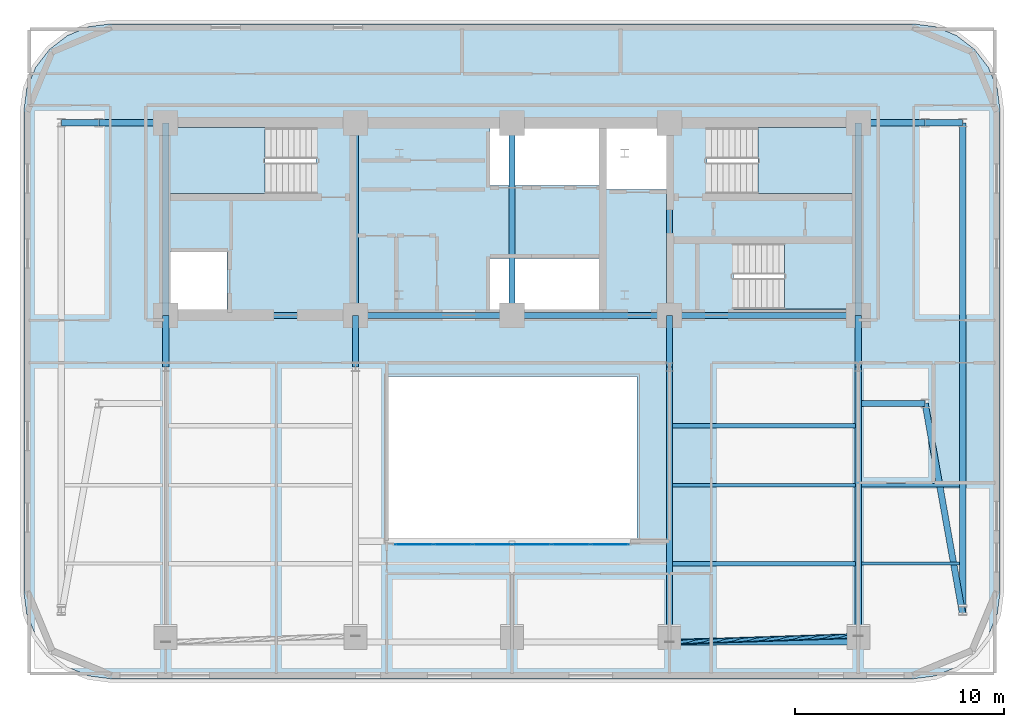
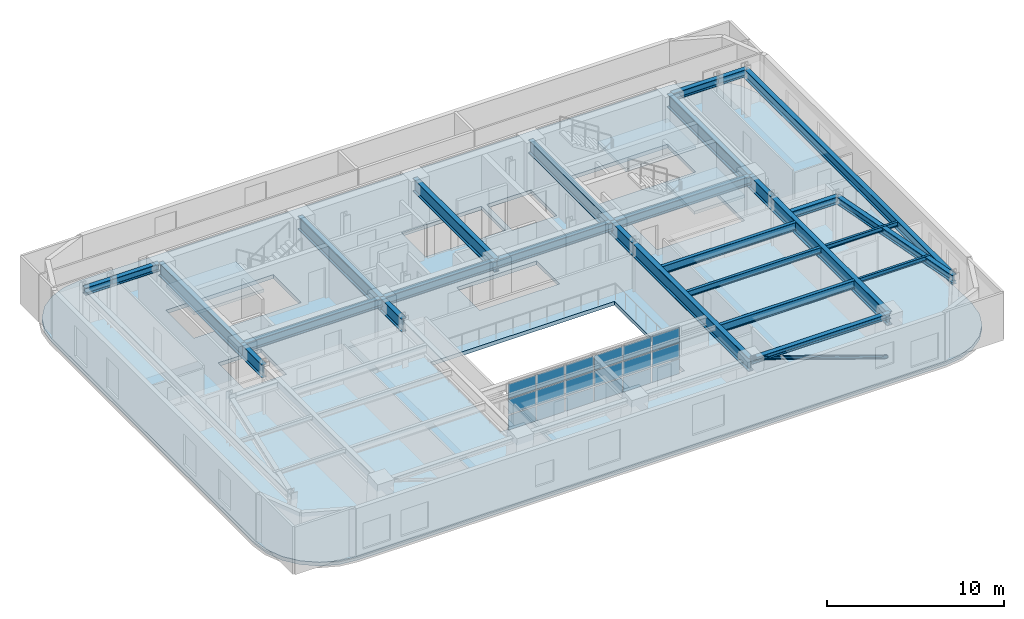
# One storey, part 3 of 11: 28 beams, 18 plates, 4 slabs, 1 member, 4 elements without a shape of their own.
"""IFC4 building model written with IfcOpenShell, lengths in metres."""

from ifc_helpers import new_model, si_unit, direction, frame, origin, origin_2d, place, context, subcontext, project, spatial, polyline, rectangle, hollow_circle, i_section, outline, extrude, material, layer, layer_set, material_profile, profile_set, type_object, element, aggregate, save


model = new_model("IFC4")

# Units and contexts
model_context = context("Model", 3, precision=1e-05, world=origin(), true_north=direction((0.0, 1.0)))
body_context = subcontext(model_context, "Body", "Model", "MODEL_VIEW")
ifc_project = project(units=[si_unit("LENGTHUNIT", "METRE"), si_unit("AREAUNIT", "SQUARE_METRE"), si_unit("VOLUMEUNIT", "CUBIC_METRE"), si_unit("PLANEANGLEUNIT", "RADIAN"), si_unit("MASSUNIT", "GRAM", prefix="KILO")], contexts=[model_context])

# Site, building, storey
site_placement = place(None, origin())
site = spatial("IfcSite", under=ifc_project, at=site_placement, CompositionType="ELEMENT")
building_placement = place(site_placement, origin())
building = spatial("IfcBuilding", under=site, at=building_placement, Name="Zarnavel Station Tower", CompositionType="ELEMENT")
storey_placement = place(building_placement, frame((0.0, 0.0, 151.89990234375)))
storey = spatial("IfcBuildingStorey", under=building, at=storey_placement, Name="L41", CompositionType="ELEMENT", Elevation=151.89990234375)

# Member
ifc_material_1 = material(Name="Steel S355J2", Category="steel")
ifc_material_profile_1 = material_profile(ifc_material_1, hollow_circle(Radius=0.122314453125, WallThickness=0.010009765625, at=origin_2d()), Name="CHS244.5x10")
ifc_profile_set_1 = profile_set([ifc_material_profile_1], Name="Steel S355J2")
member_type = type_object("IfcMemberType", Name="DB_EXT_CHS245", PredefinedType="BRACE", material=ifc_profile_set_1)
member_placement = place(storey_placement, frame((45.39990234375, 12.462890625, 0.0), z_axis=(-0.939370056938, -0.030942344867, 0.341506174795), x_axis=(0.032921607344, -0.999457936969, 0.0)))
element("IfcMember", 1, at=member_placement, inside=storey, type_object=member_type, Name="L41 Persian Exterior Diagonal Frame Brace 2", PredefinedType="BRACE", context=body_context, shape_type="SweptSolid", body=[
    extrude(hollow_circle(Radius=0.122314453125, WallThickness=0.010009765625, at=origin_2d()), origin(), (0.0, 0.0, 1.0), 9.6337890625),
])

# Beams
ifc_material_2 = material(Name="Steel S355J2", Category="steel")
ifc_material_profile_2 = material_profile(ifc_material_2, i_section(OverallWidth=0.300048828125, OverallDepth=0.360107421875, WebThickness=0.012451171875, FlangeThickness=0.0224609375, FilletRadius=0.027099609375, at=origin_2d()), Name="HEB360")
ifc_profile_set_2 = profile_set([ifc_material_profile_2], Name="Steel S355J2")
beam_type_1 = type_object("IfcBeamType", Name="EB_HEB360", PredefinedType="SPANDREL", material=ifc_profile_set_2)
beam_1_placement = place(storey_placement, frame((36.35009765625, 12.164794921875, 3.110107421875), z_axis=(1.0, 0.0, 0.0), x_axis=(0.0, 1.0, 0.0)))
element("IfcBeam", 2, at=beam_1_placement, inside=storey, type_object=beam_type_1, Name="L41 South Raked Spandrel 4", PredefinedType="SPANDREL", context=body_context, shape_type="SweptSolid", body=[
    extrude(i_section(OverallWidth=0.300048828125, OverallDepth=0.360107421875, WebThickness=0.012451171875, FlangeThickness=0.0224609375, FilletRadius=0.027099609375, at=origin_2d()), origin(), (0.0, 0.0, 1.0), 9.0498046875),
])
ifc_material_3 = material(Name="Steel S355J2", Category="steel")
ifc_material_profile_3 = material_profile(ifc_material_3, i_section(OverallWidth=0.179931640625, OverallDepth=0.39990234375, WebThickness=0.008544921875, FlangeThickness=0.013427734375, FilletRadius=0.02099609375, at=origin_2d()), Name="IPE400")
ifc_profile_set_3 = profile_set([ifc_material_profile_3], Name="Steel S355J2")
beam_type_2 = type_object("IfcBeamType", Name="FB_IPE400", PredefinedType="BEAM", material=ifc_profile_set_3)
beam_2_placement = place(storey_placement, frame((36.4951171875, 19.682373046875, 3.090087890625), z_axis=(1.0, 0.0, 0.0), x_axis=(0.0, 1.0, 0.0)))
element("IfcBeam", 3, at=beam_2_placement, inside=storey, type_object=beam_type_2, Name="L41 East Bay Beam 2", PredefinedType="BEAM", context=body_context, shape_type="SweptSolid", body=[
    extrude(i_section(OverallWidth=0.179931640625, OverallDepth=0.39990234375, WebThickness=0.008544921875, FlangeThickness=0.013427734375, FilletRadius=0.02099609375, at=origin_2d()), origin(), (0.0, 0.0, 1.0), 8.759765625),
])
ifc_material_4 = material(Name="Steel S355J2", Category="steel")
ifc_material_profile_4 = material_profile(ifc_material_4, i_section(OverallWidth=0.2099609375, OverallDepth=0.550048828125, WebThickness=0.010986328125, FlangeThickness=0.01708984375, FilletRadius=0.02392578125, at=origin_2d()), Name="IPE550")
ifc_profile_set_4 = profile_set([ifc_material_profile_4], Name="Steel S355J2")
beam_type_3 = type_object("IfcBeamType", Name="FB_IPE550", PredefinedType="BEAM", material=ifc_profile_set_4)
for number, where, z_axis, x_axis, name in (
    (4, (36.4951171875, 15.923583984375, 3.01513671875), (1.0, 0.0, 0.0), (0.0, 1.0, 0.0), "L41 East Bay Beam 1"),
    (5, (36.4951171875, 22.541259765625, 3.01513671875), (1.0, 0.0, 0.0), (0.0, 1.0, 0.0), "L41 East Bay Beam 3"),
):
    element("IfcBeam", number, at=place(storey_placement, frame(where, z_axis=z_axis, x_axis=x_axis)), inside=storey, type_object=beam_type_3, Name=name, PredefinedType="BEAM", context=body_context, shape_type="SweptSolid", body=[
        extrude(i_section(OverallWidth=0.2099609375, OverallDepth=0.550048828125, WebThickness=0.010986328125, FlangeThickness=0.01708984375, FilletRadius=0.02392578125, at=origin_2d()), origin(), (0.0, 0.0, 1.0), 8.759765625),
    ])
ifc_material_5 = material(Name="Steel S355J2", Category="steel")
ifc_material_profile_5 = material_profile(ifc_material_5, i_section(OverallWidth=0.300048828125, OverallDepth=0.5, WebThickness=0.014404296875, FlangeThickness=0.028076171875, FilletRadius=0.027099609375, at=origin_2d()), Name="HEB500")
ifc_profile_set_5 = profile_set([ifc_material_profile_5], Name="Steel S355J2")
beam_type_4 = type_object("IfcBeamType", Name="FG_HEB500", PredefinedType="USERDEFINED", material=ifc_profile_set_5)
beam_3_placement = place(storey_placement, frame((7.199951171875, 37.050048828125, 3.0400390625), z_axis=(1.0, 0.0, 0.0), x_axis=(0.0, 1.0, 0.0)))
element("IfcBeam", 6, at=beam_3_placement, inside=storey, type_object=beam_type_4, Name="L41 West Wing North Tie 1", ObjectType="GIRDER", PredefinedType="USERDEFINED", context=body_context, shape_type="SweptSolid", body=[
    extrude(i_section(OverallWidth=0.300048828125, OverallDepth=0.5, WebThickness=0.014404296875, FlangeThickness=0.028076171875, FilletRadius=0.027099609375, at=origin_2d()), origin(), (0.0, 0.0, 1.0), 1.800048828125),
])
beam_4_placement = place(storey_placement, frame((9.0, 37.050048828125, 3.0400390625), z_axis=(1.0, 0.0, 0.0), x_axis=(0.0, 1.0, 0.0)))
element("IfcBeam", 7, at=beam_4_placement, inside=storey, type_object=beam_type_4, Name="L41 West Wing North Tie 2", ObjectType="GIRDER", PredefinedType="USERDEFINED", context=body_context, shape_type="SweptSolid", body=[
    extrude(i_section(OverallWidth=0.300048828125, OverallDepth=0.5, WebThickness=0.014404296875, FlangeThickness=0.028076171875, FilletRadius=0.027099609375, at=origin_2d()), origin(), (0.0, 0.0, 1.0), 3.054931640625),
])
for number, where, z_axis, x_axis, name in (
    (8, (45.544921875, 23.60009765625, 3.0400390625), (1.0, 0.0, 0.0), (0.0, 1.0, 0.0), "L41 East Wing South Tie 1"),
    (9, (45.544921875, 37.050048828125, 3.0400390625), (1.0, 0.0, 0.0), (0.0, 1.0, 0.0), "L41 East Wing North Tie 1"),
):
    element("IfcBeam", number, at=place(storey_placement, frame(where, z_axis=z_axis, x_axis=x_axis)), inside=storey, type_object=beam_type_4, Name=name, ObjectType="GIRDER", PredefinedType="USERDEFINED", context=body_context, shape_type="SweptSolid", body=[
        extrude(i_section(OverallWidth=0.300048828125, OverallDepth=0.5, WebThickness=0.014404296875, FlangeThickness=0.028076171875, FilletRadius=0.027099609375, at=origin_2d()), origin(), (0.0, 0.0, 1.0), 3.05517578125),
    ])
beam_5_placement = place(storey_placement, frame((48.60009765625, 23.60009765625, 3.0400390625), z_axis=(0.175199201483, -0.984533005947, 0.0), x_axis=(0.984533005947, 0.175199201483, 0.0)))
element("IfcBeam", 10, at=beam_5_placement, inside=storey, type_object=beam_type_4, Name="L41 East Wing South Tie 2", ObjectType="GIRDER", PredefinedType="USERDEFINED", context=body_context, shape_type="SweptSolid", body=[
    extrude(i_section(OverallWidth=0.300048828125, OverallDepth=0.5, WebThickness=0.014404296875, FlangeThickness=0.028076171875, FilletRadius=0.027099609375, at=origin_2d()), origin(), (0.0, 0.0, 1.0), 10.27294921875),
])
beam_6_placement = place(storey_placement, frame((48.60009765625, 37.050048828125, 3.0400390625), z_axis=(1.0, 0.0, 0.0), x_axis=(0.0, 1.0, 0.0)))
element("IfcBeam", 11, at=beam_6_placement, inside=storey, type_object=beam_type_4, Name="L41 East Wing North Tie 2", ObjectType="GIRDER", PredefinedType="USERDEFINED", context=body_context, shape_type="SweptSolid", body=[
    extrude(i_section(OverallWidth=0.300048828125, OverallDepth=0.5, WebThickness=0.014404296875, FlangeThickness=0.028076171875, FilletRadius=0.027099609375, at=origin_2d()), origin(), (0.0, 0.0, 1.0), 1.7998046875),
])
ifc_material_6 = material(Name="Steel S355J2", Category="steel")
ifc_material_profile_6 = material_profile(ifc_material_6, i_section(OverallWidth=0.300048828125, OverallDepth=0.60009765625, WebThickness=0.015380859375, FlangeThickness=0.030029296875, FilletRadius=0.027099609375, at=origin_2d()), Name="HEB600")
ifc_profile_set_6 = profile_set([ifc_material_profile_6], Name="Steel S355J2")
beam_type_5 = type_object("IfcBeamType", Name="FG_HEB600", PredefinedType="USERDEFINED", material=ifc_profile_set_6)
beam_7_placement = place(storey_placement, frame((12.199951171875, 27.820068359375, 2.989990234375), z_axis=(1.0, 0.0, 0.0), x_axis=(0.0, 1.0, 0.0)))
element("IfcBeam", 12, at=beam_7_placement, inside=storey, type_object=beam_type_5, Name="L41 Core Front Coupling Beam 1", ObjectType="GIRDER", PredefinedType="USERDEFINED", context=body_context, shape_type="SweptSolid", body=[
    extrude(i_section(OverallWidth=0.300048828125, OverallDepth=0.60009765625, WebThickness=0.015380859375, FlangeThickness=0.030029296875, FilletRadius=0.027099609375, at=origin_2d()), origin(), (0.0, 0.0, 1.0), 9.10009765625),
])
beam_8_placement = place(storey_placement, frame((21.300048828125, 27.820068359375, 2.989990234375), z_axis=(1.0, 0.0, 0.0), x_axis=(0.0, 1.0, 0.0)))
element("IfcBeam", 13, at=beam_8_placement, inside=storey, type_object=beam_type_5, Name="L41 Core Front Coupling Beam 2", ObjectType="GIRDER", PredefinedType="USERDEFINED", context=body_context, shape_type="SweptSolid", body=[
    extrude(i_section(OverallWidth=0.300048828125, OverallDepth=0.60009765625, WebThickness=0.015380859375, FlangeThickness=0.030029296875, FilletRadius=0.027099609375, at=origin_2d()), origin(), (0.0, 0.0, 1.0), 7.5),
])
beam_9_placement = place(storey_placement, frame((28.800048828125, 27.820068359375, 2.989990234375), z_axis=(1.0, 0.0, 0.0), x_axis=(0.0, 1.0, 0.0)))
element("IfcBeam", 14, at=beam_9_placement, inside=storey, type_object=beam_type_5, Name="L41 Core Front Coupling Beam 3", ObjectType="GIRDER", PredefinedType="USERDEFINED", context=body_context, shape_type="SweptSolid", body=[
    extrude(i_section(OverallWidth=0.300048828125, OverallDepth=0.60009765625, WebThickness=0.015380859375, FlangeThickness=0.030029296875, FilletRadius=0.027099609375, at=origin_2d()), origin(), (0.0, 0.0, 1.0), 7.550048828125),
])
beam_10_placement = place(storey_placement, frame((36.35009765625, 27.820068359375, 2.989990234375), z_axis=(1.0, 0.0, 0.0), x_axis=(0.0, 1.0, 0.0)))
element("IfcBeam", 15, at=beam_10_placement, inside=storey, type_object=beam_type_5, Name="L41 Core Front Coupling Beam 4", ObjectType="GIRDER", PredefinedType="USERDEFINED", context=body_context, shape_type="SweptSolid", body=[
    extrude(i_section(OverallWidth=0.300048828125, OverallDepth=0.60009765625, WebThickness=0.015380859375, FlangeThickness=0.030029296875, FilletRadius=0.027099609375, at=origin_2d()), origin(), (0.0, 0.0, 1.0), 9.0498046875),
])
ifc_material_7 = material(Name="Steel S355J2", Category="steel")
ifc_material_profile_7 = material_profile(ifc_material_7, i_section(OverallWidth=0.300048828125, OverallDepth=0.64990234375, WebThickness=0.01611328125, FlangeThickness=0.031005859375, FilletRadius=0.027099609375, at=origin_2d()), Name="HEB650")
ifc_profile_set_7 = profile_set([ifc_material_profile_7], Name="Steel S355J2")
beam_type_6 = type_object("IfcBeamType", Name="FG_HEB650", PredefinedType="USERDEFINED", material=ifc_profile_set_7)
beam_11_placement = place(storey_placement, frame((50.39990234375, 13.486083984375, 2.965087890625), z_axis=(0.0, 1.0, 0.0), x_axis=(-1.0, 0.0, 0.0)))
element("IfcBeam", 16, at=beam_11_placement, inside=storey, type_object=beam_type_6, Name="L41 Wing NS Girder 2", ObjectType="GIRDER", PredefinedType="USERDEFINED", context=body_context, shape_type="SweptSolid", body=[
    extrude(i_section(OverallWidth=0.300048828125, OverallDepth=0.64990234375, WebThickness=0.01611328125, FlangeThickness=0.031005859375, FilletRadius=0.027099609375, at=origin_2d()), origin(), (0.0, 0.0, 1.0), 23.56396484375),
])
ifc_material_8 = material(Name="Steel S355J2", Category="steel")
ifc_material_profile_8 = material_profile(ifc_material_8, i_section(OverallWidth=0.14990234375, OverallDepth=0.300048828125, WebThickness=0.007080078125, FlangeThickness=0.0107421875, FilletRadius=0.014892578125, at=origin_2d()), Name="IPE300")
ifc_profile_set_8 = profile_set([ifc_material_profile_8], Name="Steel S355J2")
beam_type_7 = type_object("IfcBeamType", Name="FJ_IPE300", PredefinedType="JOIST", material=ifc_profile_set_8)
for number, where, z_axis, x_axis, name in (
    (17, (45.544921875, 15.923583984375, 3.14013671875), (1.0, 0.0, 0.0), (0.0, 1.0, 0.0), "L41 East Wing Joist 1"),
    (18, (45.544921875, 19.682373046875, 3.14013671875), (1.0, 0.0, 0.0), (0.0, 1.0, 0.0), "L41 East Wing Joist 2"),
):
    element("IfcBeam", number, at=place(storey_placement, frame(where, z_axis=z_axis, x_axis=x_axis)), inside=storey, type_object=beam_type_7, Name=name, PredefinedType="JOIST", context=body_context, shape_type="SweptSolid", body=[
        extrude(i_section(OverallWidth=0.14990234375, OverallDepth=0.300048828125, WebThickness=0.007080078125, FlangeThickness=0.0107421875, FilletRadius=0.014892578125, at=origin_2d()), origin(), (0.0, 0.0, 1.0), 4.7099609375),
    ])
ifc_material_9 = material(Name="Steel S460M", Category="steel")
ifc_material_profile_9 = material_profile(ifc_material_9, i_section(OverallWidth=0.302001953125, OverallDepth=0.909912109375, WebThickness=0.02099609375, FlangeThickness=0.0400390625, FilletRadius=0.030029296875, at=origin_2d()), Name="HEM900")
ifc_profile_set_9 = profile_set([ifc_material_profile_9], Name="Steel S460M")
beam_type_8 = type_object("IfcBeamType", Name="TG_HEM900", PredefinedType="USERDEFINED", material=ifc_profile_set_9)
for number, where, z_axis, x_axis, name in (
    (19, (12.199951171875, 27.820068359375, 2.835205078125), (0.0, 1.0, 0.0), (-1.0, 0.0, 0.0), "L41 Core Spine Coupling Girder 1"),
    (20, (21.300048828125, 27.820068359375, 2.835205078125), (0.0, 1.0, 0.0), (-1.0, 0.0, 0.0), "L41 Core Spine Coupling Girder 2"),
    (21, (28.800048828125, 27.820068359375, 2.835205078125), (0.0, 1.0, 0.0), (-1.0, 0.0, 0.0), "L41 Core Spine Coupling Girder 3"),
    (22, (36.35009765625, 27.820068359375, 2.835205078125), (0.0, 1.0, 0.0), (-1.0, 0.0, 0.0), "L41 Core Spine Coupling Girder 4"),
    (23, (45.39990234375, 27.820068359375, 2.835205078125), (0.0, 1.0, 0.0), (-1.0, 0.0, 0.0), "L41 Core Spine Coupling Girder 5"),
):
    element("IfcBeam", number, at=place(storey_placement, frame(where, z_axis=z_axis, x_axis=x_axis)), inside=storey, type_object=beam_type_8, Name=name, ObjectType="GIRDER", PredefinedType="USERDEFINED", context=body_context, shape_type="SweptSolid", body=[
        extrude(i_section(OverallWidth=0.302001953125, OverallDepth=0.909912109375, WebThickness=0.02099609375, FlangeThickness=0.0400390625, FilletRadius=0.030029296875, at=origin_2d()), origin(), (0.0, 0.0, 1.0), 9.22998046875),
    ])
for number, where, z_axis, x_axis, name in (
    (24, (12.199951171875, 25.35009765625, 2.835205078125), (0.0, 1.0, 0.0), (-1.0, 0.0, 0.0), "L41 Inner-Zone NS Girder 1"),
    (25, (21.300048828125, 25.35009765625, 2.835205078125), (0.0, 1.0, 0.0), (-1.0, 0.0, 0.0), "L41 Inner-Zone NS Girder 2"),
):
    element("IfcBeam", number, at=place(storey_placement, frame(where, z_axis=z_axis, x_axis=x_axis)), inside=storey, type_object=beam_type_8, Name=name, ObjectType="GIRDER", PredefinedType="USERDEFINED", context=body_context, shape_type="SweptSolid", body=[
        extrude(i_section(OverallWidth=0.302001953125, OverallDepth=0.909912109375, WebThickness=0.02099609375, FlangeThickness=0.0400390625, FilletRadius=0.030029296875, at=origin_2d()), origin(), (0.0, 0.0, 1.0), 2.469970703125),
    ])
beam_12_placement = place(storey_placement, frame((36.35009765625, 12.164794921875, 2.835205078125), z_axis=(0.0, 1.0, 0.0), x_axis=(-1.0, 0.0, 0.0)))
element("IfcBeam", 26, at=beam_12_placement, inside=storey, type_object=beam_type_8, Name="L41 South-Zone NS Girder 4", ObjectType="GIRDER", PredefinedType="USERDEFINED", context=body_context, shape_type="SweptSolid", body=[
    extrude(i_section(OverallWidth=0.302001953125, OverallDepth=0.909912109375, WebThickness=0.02099609375, FlangeThickness=0.0400390625, FilletRadius=0.030029296875, at=origin_2d()), origin(), (0.0, 0.0, 1.0), 13.185302734375),
])
beam_13_placement = place(storey_placement, frame((36.35009765625, 25.35009765625, 2.835205078125), z_axis=(0.0, 1.0, 0.0), x_axis=(-1.0, 0.0, 0.0)))
element("IfcBeam", 27, at=beam_13_placement, inside=storey, type_object=beam_type_8, Name="L41 Inner-Zone NS Girder 4", ObjectType="GIRDER", PredefinedType="USERDEFINED", context=body_context, shape_type="SweptSolid", body=[
    extrude(i_section(OverallWidth=0.302001953125, OverallDepth=0.909912109375, WebThickness=0.02099609375, FlangeThickness=0.0400390625, FilletRadius=0.030029296875, at=origin_2d()), origin(), (0.0, 0.0, 1.0), 2.469970703125),
])
beam_14_placement = place(storey_placement, frame((45.39990234375, 12.164794921875, 2.835205078125), z_axis=(0.0, 1.0, 0.0), x_axis=(-1.0, 0.0, 0.0)))
element("IfcBeam", 28, at=beam_14_placement, inside=storey, type_object=beam_type_8, Name="L41 South-Zone NS Girder 5", ObjectType="GIRDER", PredefinedType="USERDEFINED", context=body_context, shape_type="SweptSolid", body=[
    extrude(i_section(OverallWidth=0.302001953125, OverallDepth=0.909912109375, WebThickness=0.02099609375, FlangeThickness=0.0400390625, FilletRadius=0.030029296875, at=origin_2d()), origin(), (0.0, 0.0, 1.0), 13.185302734375),
])
beam_15_placement = place(storey_placement, frame((45.39990234375, 25.35009765625, 2.835205078125), z_axis=(0.0, 1.0, 0.0), x_axis=(-1.0, 0.0, 0.0)))
element("IfcBeam", 29, at=beam_15_placement, inside=storey, type_object=beam_type_8, Name="L41 Inner-Zone NS Girder 5", ObjectType="GIRDER", PredefinedType="USERDEFINED", context=body_context, shape_type="SweptSolid", body=[
    extrude(i_section(OverallWidth=0.302001953125, OverallDepth=0.909912109375, WebThickness=0.02099609375, FlangeThickness=0.0400390625, FilletRadius=0.030029296875, at=origin_2d()), origin(), (0.0, 0.0, 1.0), 2.469970703125),
])

# Curtain wall, plates
ifc_material_10 = material(Name="Aluminium Dark Anodised and Solar-Control Glass", Category="aluminium")
ifc_layer_1 = layer(ifc_material_10, 0.179931640625)
ifc_layer_set_1 = layer_set([ifc_layer_1], Name="CWS4")
curtain_wall_type = type_object("IfcCurtainWallType", Name="CWS4", PredefinedType="NOTDEFINED", material=ifc_layer_set_1)
curtain_wall_placement = place(storey_placement, origin())
curtain_wall = element("IfcCurtainWall", 30, at=curtain_wall_placement, inside=storey, type_object=curtain_wall_type, Name="L41 Curtain Wall CWS4-L41-AS", PredefinedType="NOTDEFINED")
ifc_material_11 = material(Name="Double Low-E Dark Solar-Control Glass", Category="glass")
ifc_layer_2 = layer(ifc_material_11, 0.031982421875)
ifc_layer_set_2 = layer_set([ifc_layer_2], Name="CWS4_PNL")
plate_type = type_object("IfcPlateType", Name="CWS4_PNL", PredefinedType="CURTAIN_PANEL", material=ifc_layer_set_2)
plate_1_placement = place(storey_placement, frame((24.106689453125, 16.85009765625, 0.06005859375), z_axis=(0.0, 0.0, 1.0), x_axis=(1.0, 0.0, 0.0)))
plate_1 = element("IfcPlate", 31, at=plate_1_placement, type_object=plate_type, Name="CW4 panel 1.1", PredefinedType="CURTAIN_PANEL", context=body_context, shape_type="SweptSolid", body=[
    extrude(rectangle(XDim=1.793212890625, YDim=0.028076171875, at=origin_2d()), origin(), (0.0, 0.0, 1.0), 1.006591796875),
])
plate_2_placement = place(storey_placement, frame((24.106689453125, 16.85009765625, 1.126708984375), z_axis=(0.0, 0.0, 1.0), x_axis=(1.0, 0.0, 0.0)))
plate_2 = element("IfcPlate", 32, at=plate_2_placement, type_object=plate_type, Name="CW4 panel 1.2", PredefinedType="CURTAIN_PANEL", context=body_context, shape_type="SweptSolid", body=[
    extrude(rectangle(XDim=1.793212890625, YDim=0.028076171875, at=origin_2d()), origin(), (0.0, 0.0, 1.0), 1.03662109375),
])
plate_3_placement = place(storey_placement, frame((24.106689453125, 16.85009765625, 2.2236328125), z_axis=(0.0, 0.0, 1.0), x_axis=(1.0, 0.0, 0.0)))
plate_3 = element("IfcPlate", 33, at=plate_3_placement, type_object=plate_type, Name="CW4 panel 1.3", PredefinedType="CURTAIN_PANEL", context=body_context, shape_type="SweptSolid", body=[
    extrude(rectangle(XDim=1.793212890625, YDim=0.028076171875, at=origin_2d()), origin(), (0.0, 0.0, 1.0), 1.006591796875),
])
plate_4_placement = place(storey_placement, frame((25.97509765625, 16.85009765625, 0.06005859375), z_axis=(0.0, 0.0, 1.0), x_axis=(1.0, 0.0, 0.0)))
plate_4 = element("IfcPlate", 34, at=plate_4_placement, type_object=plate_type, Name="CW4 panel 2.1", PredefinedType="CURTAIN_PANEL", context=body_context, shape_type="SweptSolid", body=[
    extrude(rectangle(XDim=1.8232421875, YDim=0.028076171875, at=origin_2d()), origin(), (0.0, 0.0, 1.0), 1.006591796875),
])
plate_5_placement = place(storey_placement, frame((25.97509765625, 16.85009765625, 1.126708984375), z_axis=(0.0, 0.0, 1.0), x_axis=(1.0, 0.0, 0.0)))
plate_5 = element("IfcPlate", 35, at=plate_5_placement, type_object=plate_type, Name="CW4 panel 2.2", PredefinedType="CURTAIN_PANEL", context=body_context, shape_type="SweptSolid", body=[
    extrude(rectangle(XDim=1.8232421875, YDim=0.028076171875, at=origin_2d()), origin(), (0.0, 0.0, 1.0), 1.03662109375),
])
plate_6_placement = place(storey_placement, frame((25.97509765625, 16.85009765625, 2.2236328125), z_axis=(0.0, 0.0, 1.0), x_axis=(1.0, 0.0, 0.0)))
plate_6 = element("IfcPlate", 36, at=plate_6_placement, type_object=plate_type, Name="CW4 panel 2.3", PredefinedType="CURTAIN_PANEL", context=body_context, shape_type="SweptSolid", body=[
    extrude(rectangle(XDim=1.8232421875, YDim=0.028076171875, at=origin_2d()), origin(), (0.0, 0.0, 1.0), 1.006591796875),
])
plate_7_placement = place(storey_placement, frame((27.8583984375, 16.85009765625, 0.06005859375), z_axis=(0.0, 0.0, 1.0), x_axis=(1.0, 0.0, 0.0)))
plate_7 = element("IfcPlate", 37, at=plate_7_placement, type_object=plate_type, Name="CW4 panel 3.1", PredefinedType="CURTAIN_PANEL", context=body_context, shape_type="SweptSolid", body=[
    extrude(rectangle(XDim=1.8232421875, YDim=0.028076171875, at=origin_2d()), origin(), (0.0, 0.0, 1.0), 1.006591796875),
])
plate_8_placement = place(storey_placement, frame((27.8583984375, 16.85009765625, 1.126708984375), z_axis=(0.0, 0.0, 1.0), x_axis=(1.0, 0.0, 0.0)))
plate_8 = element("IfcPlate", 38, at=plate_8_placement, type_object=plate_type, Name="CW4 panel 3.2", PredefinedType="CURTAIN_PANEL", context=body_context, shape_type="SweptSolid", body=[
    extrude(rectangle(XDim=1.8232421875, YDim=0.028076171875, at=origin_2d()), origin(), (0.0, 0.0, 1.0), 1.03662109375),
])
plate_9_placement = place(storey_placement, frame((27.8583984375, 16.85009765625, 2.2236328125), z_axis=(0.0, 0.0, 1.0), x_axis=(1.0, 0.0, 0.0)))
plate_9 = element("IfcPlate", 39, at=plate_9_placement, type_object=plate_type, Name="CW4 panel 3.3", PredefinedType="CURTAIN_PANEL", context=body_context, shape_type="SweptSolid", body=[
    extrude(rectangle(XDim=1.8232421875, YDim=0.028076171875, at=origin_2d()), origin(), (0.0, 0.0, 1.0), 1.006591796875),
])
plate_10_placement = place(storey_placement, frame((29.74169921875, 16.85009765625, 0.06005859375), z_axis=(0.0, 0.0, 1.0), x_axis=(1.0, 0.0, 0.0)))
plate_10 = element("IfcPlate", 40, at=plate_10_placement, type_object=plate_type, Name="CW4 panel 4.1", PredefinedType="CURTAIN_PANEL", context=body_context, shape_type="SweptSolid", body=[
    extrude(rectangle(XDim=1.8232421875, YDim=0.028076171875, at=origin_2d()), origin(), (0.0, 0.0, 1.0), 1.006591796875),
])
plate_11_placement = place(storey_placement, frame((29.74169921875, 16.85009765625, 1.126708984375), z_axis=(0.0, 0.0, 1.0), x_axis=(1.0, 0.0, 0.0)))
plate_11 = element("IfcPlate", 41, at=plate_11_placement, type_object=plate_type, Name="CW4 panel 4.2", PredefinedType="CURTAIN_PANEL", context=body_context, shape_type="SweptSolid", body=[
    extrude(rectangle(XDim=1.8232421875, YDim=0.028076171875, at=origin_2d()), origin(), (0.0, 0.0, 1.0), 1.03662109375),
])
plate_12_placement = place(storey_placement, frame((29.74169921875, 16.85009765625, 2.2236328125), z_axis=(0.0, 0.0, 1.0), x_axis=(1.0, 0.0, 0.0)))
plate_12 = element("IfcPlate", 42, at=plate_12_placement, type_object=plate_type, Name="CW4 panel 4.3", PredefinedType="CURTAIN_PANEL", context=body_context, shape_type="SweptSolid", body=[
    extrude(rectangle(XDim=1.8232421875, YDim=0.028076171875, at=origin_2d()), origin(), (0.0, 0.0, 1.0), 1.006591796875),
])
plate_13_placement = place(storey_placement, frame((31.625, 16.85009765625, 0.06005859375), z_axis=(0.0, 0.0, 1.0), x_axis=(1.0, 0.0, 0.0)))
plate_13 = element("IfcPlate", 43, at=plate_13_placement, type_object=plate_type, Name="CW4 panel 5.1", PredefinedType="CURTAIN_PANEL", context=body_context, shape_type="SweptSolid", body=[
    extrude(rectangle(XDim=1.8232421875, YDim=0.028076171875, at=origin_2d()), origin(), (0.0, 0.0, 1.0), 1.006591796875),
])
plate_14_placement = place(storey_placement, frame((31.625, 16.85009765625, 1.126708984375), z_axis=(0.0, 0.0, 1.0), x_axis=(1.0, 0.0, 0.0)))
plate_14 = element("IfcPlate", 44, at=plate_14_placement, type_object=plate_type, Name="CW4 panel 5.2", PredefinedType="CURTAIN_PANEL", context=body_context, shape_type="SweptSolid", body=[
    extrude(rectangle(XDim=1.8232421875, YDim=0.028076171875, at=origin_2d()), origin(), (0.0, 0.0, 1.0), 1.03662109375),
])
plate_15_placement = place(storey_placement, frame((31.625, 16.85009765625, 2.2236328125), z_axis=(0.0, 0.0, 1.0), x_axis=(1.0, 0.0, 0.0)))
plate_15 = element("IfcPlate", 45, at=plate_15_placement, type_object=plate_type, Name="CW4 panel 5.3", PredefinedType="CURTAIN_PANEL", context=body_context, shape_type="SweptSolid", body=[
    extrude(rectangle(XDim=1.8232421875, YDim=0.028076171875, at=origin_2d()), origin(), (0.0, 0.0, 1.0), 1.006591796875),
])
plate_16_placement = place(storey_placement, frame((33.493408203125, 16.85009765625, 0.06005859375), z_axis=(0.0, 0.0, 1.0), x_axis=(1.0, 0.0, 0.0)))
plate_16 = element("IfcPlate", 46, at=plate_16_placement, type_object=plate_type, Name="CW4 panel 6.1", PredefinedType="CURTAIN_PANEL", context=body_context, shape_type="SweptSolid", body=[
    extrude(rectangle(XDim=1.793212890625, YDim=0.028076171875, at=origin_2d()), origin(), (0.0, 0.0, 1.0), 1.006591796875),
])
plate_17_placement = place(storey_placement, frame((33.493408203125, 16.85009765625, 1.126708984375), z_axis=(0.0, 0.0, 1.0), x_axis=(1.0, 0.0, 0.0)))
plate_17 = element("IfcPlate", 47, at=plate_17_placement, type_object=plate_type, Name="CW4 panel 6.2", PredefinedType="CURTAIN_PANEL", context=body_context, shape_type="SweptSolid", body=[
    extrude(rectangle(XDim=1.793212890625, YDim=0.028076171875, at=origin_2d()), origin(), (0.0, 0.0, 1.0), 1.03662109375),
])
plate_18_placement = place(storey_placement, frame((33.493408203125, 16.85009765625, 2.2236328125), z_axis=(0.0, 0.0, 1.0), x_axis=(1.0, 0.0, 0.0)))
plate_18 = element("IfcPlate", 48, at=plate_18_placement, type_object=plate_type, Name="CW4 panel 6.3", PredefinedType="CURTAIN_PANEL", context=body_context, shape_type="SweptSolid", body=[
    extrude(rectangle(XDim=1.793212890625, YDim=0.028076171875, at=origin_2d()), origin(), (0.0, 0.0, 1.0), 1.006591796875),
])
aggregate(curtain_wall, [plate_1, plate_2, plate_3, plate_4, plate_5, plate_6, plate_7, plate_8, plate_9, plate_10, plate_11, plate_12, plate_13, plate_14, plate_15, plate_16, plate_17, plate_18])

# Slab
ifc_material_12 = material(Name="Concrete C45/55", Category="concrete")
ifc_layer_3 = layer(ifc_material_12, 0.260009765625)
ifc_layer_set_3 = layer_set([ifc_layer_3], Name="SL_FLR_260")
slab_type_1 = type_object("IfcSlabType", Name="SL_FLR_260", PredefinedType="FLOOR", material=ifc_layer_set_3)
slab_1_placement = place(storey_placement, frame((0.0, 0.0, -0.260009765625)))
element("IfcSlab", 49, at=slab_1_placement, inside=storey, type_object=slab_type_1, Name="L41 Structural Floor Slab", PredefinedType="FLOOR", context=body_context, shape_type="SweptSolid", body=[
    extrude(outline(polyline([(48.0, 10.39990234375), (49.0869140625, 10.543212890625), (50.10009765625, 10.962646484375), (50.9697265625, 11.630126953125), (51.63720703125, 12.5), (52.056884765625, 13.512939453125), (52.199951171875, 14.60009765625), (52.199951171875, 37.60009765625), (52.056884765625, 38.68701171875), (51.63720703125, 39.699951171875), (50.9697265625, 40.56982421875), (50.10009765625, 41.2373046875), (49.0869140625, 41.656982421875), (48.0, 41.800048828125), (9.60009765625, 41.800048828125), (8.512939453125, 41.656982421875), (7.5, 41.2373046875), (6.630126953125, 40.56982421875), (5.962646484375, 39.699951171875), (5.543212890625, 38.68701171875), (5.39990234375, 37.60009765625), (5.39990234375, 14.60009765625), (5.543212890625, 13.512939453125), (5.962646484375, 12.5), (6.630126953125, 11.630126953125), (7.5, 10.962646484375), (8.512939453125, 10.543212890625), (9.60009765625, 10.39990234375), (48.0, 10.39990234375)]), holes=[polyline([(12.39990234375, 33.659912109375), (19.409912109375, 33.659912109375), (19.409912109375, 36.820068359375), (12.39990234375, 36.820068359375), (12.39990234375, 33.659912109375)]), polyline([(38.14990234375, 33.659912109375), (45.159912109375, 33.659912109375), (45.159912109375, 36.820068359375), (38.14990234375, 36.820068359375), (38.14990234375, 33.659912109375)]), polyline([(39.419921875, 28.1201171875), (45.14990234375, 28.1201171875), (45.14990234375, 31.280029296875), (39.419921875, 31.280029296875), (39.419921875, 28.1201171875)]), polyline([(12.35009765625, 27.949951171875), (15.14990234375, 27.949951171875), (15.14990234375, 30.85009765625), (12.35009765625, 30.85009765625), (12.35009765625, 27.949951171875)]), polyline([(33.320068359375, 33.85009765625), (36.2099609375, 33.85009765625), (36.2099609375, 36.780029296875), (33.320068359375, 36.780029296875), (33.320068359375, 33.85009765625)]), polyline([(27.75, 34.050048828125), (32.97998046875, 34.050048828125), (32.97998046875, 36.780029296875), (27.75, 36.780029296875), (27.75, 34.050048828125)]), polyline([(27.75, 27.949951171875), (32.97998046875, 27.949951171875), (32.97998046875, 30.550048828125), (27.75, 30.550048828125), (27.75, 27.949951171875)]), polyline([(22.800048828125, 17.0), (34.800048828125, 17.0), (34.800048828125, 24.89990234375), (22.800048828125, 24.89990234375), (22.800048828125, 17.0)])]), origin(), (0.0, 0.0, 1.0), 0.260009765625),
])

# Stair, slab
ifc_material_13 = material(Name="Concrete C45/55", Category="concrete")
stair_type = type_object("IfcStairType", Name="ST_CORE_150", PredefinedType="HALF_TURN_STAIR", material=ifc_material_13)
stair_1_placement = place(storey_placement, origin())
stair_1 = element("IfcStair", 50, at=stair_1_placement, inside=storey, type_object=stair_type, Name="L41 Core Exit Stair ST1", PredefinedType="HALF_TURN_STAIR")
ifc_material_14 = material(Name="Concrete C45/55", Category="concrete")
ifc_layer_4 = layer(ifc_material_14, 0.199951171875)
ifc_layer_set_4 = layer_set([ifc_layer_4], Name="SL_STAIR_LAND_200")
slab_type_2 = type_object("IfcSlabType", Name="SL_STAIR_LAND_200", PredefinedType="LANDING", material=ifc_layer_set_4)
slab_2_placement = place(storey_placement, frame((0.0, 0.0, 1.5751953125)))
slab_2 = element("IfcSlab", 51, at=slab_2_placement, type_object=slab_type_2, Name="ST1 landing 1", PredefinedType="LANDING", context=body_context, shape_type="SweptSolid", body=[
    extrude(outline(polyline([(16.9599609375, 36.820068359375), (12.39990234375, 36.820068359375), (12.39990234375, 33.659912109375), (16.9599609375, 33.659912109375), (16.9599609375, 36.820068359375)])), origin(), (0.0, 0.0, 1.0), 0.199951171875),
])
aggregate(stair_1, [slab_2])

stair_2_placement = place(storey_placement, origin())
stair_2 = element("IfcStair", 52, at=stair_2_placement, inside=storey, type_object=stair_type, Name="L41 Core Exit Stair ST2", PredefinedType="HALF_TURN_STAIR")
slab_3_placement = place(storey_placement, frame((0.0, 0.0, 1.5751953125)))
slab_3 = element("IfcSlab", 53, at=slab_3_placement, type_object=slab_type_2, Name="ST2 landing 1", PredefinedType="LANDING", context=body_context, shape_type="SweptSolid", body=[
    extrude(outline(polyline([(40.60009765625, 33.659912109375), (45.159912109375, 33.659912109375), (45.159912109375, 36.820068359375), (40.60009765625, 36.820068359375), (40.60009765625, 33.659912109375)])), origin(), (0.0, 0.0, 1.0), 0.199951171875),
])
aggregate(stair_2, [slab_3])

stair_3_placement = place(storey_placement, origin())
stair_3 = element("IfcStair", 54, at=stair_3_placement, inside=storey, type_object=stair_type, Name="L41 Core Exit Stair ST3", PredefinedType="HALF_TURN_STAIR")
slab_4_placement = place(storey_placement, frame((0.0, 0.0, 1.5751953125)))
slab_4 = element("IfcSlab", 55, at=slab_4_placement, type_object=slab_type_2, Name="ST3 landing 1", PredefinedType="LANDING", context=body_context, shape_type="SweptSolid", body=[
    extrude(outline(polyline([(41.8701171875, 28.1201171875), (45.14990234375, 28.1201171875), (45.14990234375, 31.280029296875), (41.8701171875, 31.280029296875), (41.8701171875, 28.1201171875)])), origin(), (0.0, 0.0, 1.0), 0.199951171875),
])
aggregate(stair_3, [slab_4])

save(model, "model.ifc")
